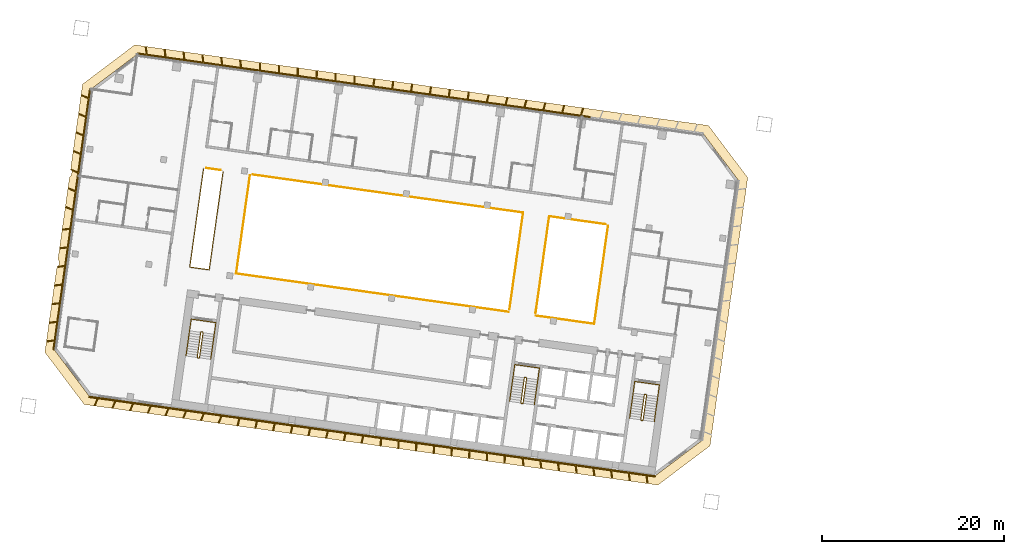
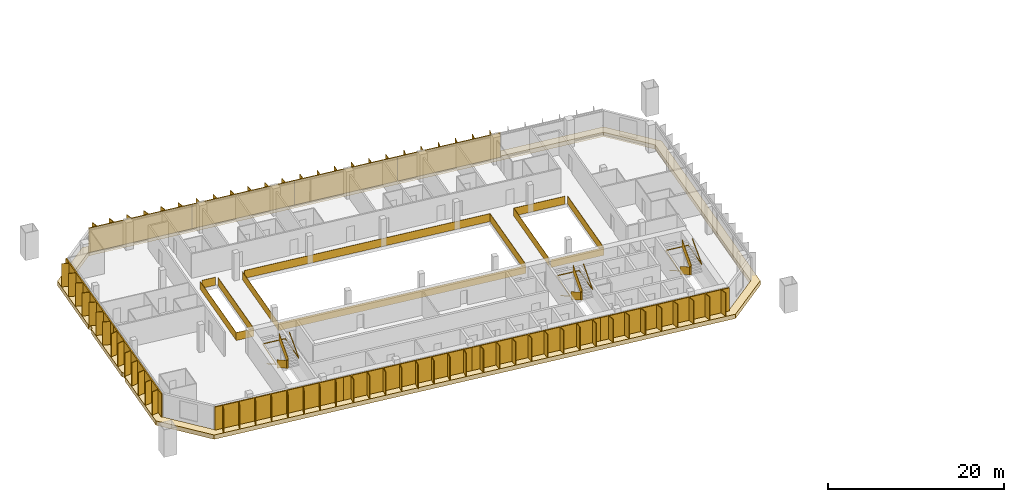
# One storey, part 23 of 25: 12 railings, 10 shading devices, 1 covering.
"""IFC4 building model written with IfcOpenShell, lengths in metres."""

from ifc_helpers import new_model, si_unit, direction, frame, origin, origin_2d, place, context, subcontext, project, spatial, polyline, rectangle, outline, extrude, material, layer, layer_set, type_object, element, save


model = new_model("IFC4")

# Units and contexts
model_context = context("Model", 3, precision=1e-05, world=origin(), true_north=direction((0.0, 1.0)))
body_context = subcontext(model_context, "Body", "Model", "MODEL_VIEW")
ifc_project = project(units=[si_unit("LENGTHUNIT", "METRE"), si_unit("AREAUNIT", "SQUARE_METRE"), si_unit("VOLUMEUNIT", "CUBIC_METRE"), si_unit("PLANEANGLEUNIT", "RADIAN"), si_unit("MASSUNIT", "GRAM", prefix="KILO")], contexts=[model_context])

# Site, building, storey
site_placement = place(None, origin())
site = spatial("IfcSite", under=ifc_project, at=site_placement, CompositionType="ELEMENT")
building_placement = place(site_placement, origin())
building = spatial("IfcBuilding", under=site, at=building_placement, Name="Mirante Cascada Hotel Towers", CompositionType="ELEMENT")
storey_placement = place(building_placement, frame((0.0, 0.0, 136.7)))
storey = spatial("IfcBuildingStorey", under=building, at=storey_placement, Name="L31", CompositionType="ELEMENT", Elevation=136.7)

# Railings
ifc_material_1 = material(Name="Toughened glass with stainless steel handrail", Category="steel")
railing_type_1 = type_object("IfcRailingType", Name="Atrium guard 1100 glass balustrade", PredefinedType="GUARDRAIL", material=ifc_material_1)
railing_1_placement = place(storey_placement, frame((-42.3202, 7.3388, 0.0)))
element("IfcRailing", 1, at=railing_1_placement, inside=storey, type_object=railing_type_1, Name="GUARD 1-L31-1", PredefinedType="GUARDRAIL", context=body_context, shape_type="SweptSolid", body=[
    extrude(rectangle(XDim=0.048, YDim=0.048, at=origin_2d()), frame((0.0, 0.0, 1.076), z_axis=(-0.1391712, -0.9902683, 0.0), x_axis=(0.9902683, -0.1391712, 0.0)), (0.0, 0.0, 1.0), 10.9333),
    extrude(rectangle(XDim=0.02, YDim=1.052, at=origin_2d()), frame((0.0, 0.0, 0.526), z_axis=(-0.1391712, -0.9902683, 0.0), x_axis=(0.9902683, -0.1391712, 0.0)), (0.0, 0.0, 1.0), 10.9333),
    extrude(rectangle(XDim=0.048, YDim=0.048, at=origin_2d()), frame((-1.5216, -10.8269, 1.076), z_axis=(-0.9902673, 0.1391788, 0.0), x_axis=(-0.1391788, -0.9902673, 0.0)), (0.0, 0.0, 1.0), 6.5125),
    extrude(rectangle(XDim=0.02, YDim=1.052, at=origin_2d()), frame((-1.5216, -10.8269, 0.526), z_axis=(-0.9902673, 0.1391788, 0.0), x_axis=(-0.1391788, -0.9902673, 0.0)), (0.0, 0.0, 1.0), 6.5125),
])
railing_2_placement = place(storey_placement, frame((-53.2617, -2.1642, 0.0)))
element("IfcRailing", 2, at=railing_2_placement, inside=storey, type_object=railing_type_1, Name="GUARD 1-L31-2", PredefinedType="GUARDRAIL", context=body_context, shape_type="SweptSolid", body=[
    extrude(rectangle(XDim=0.048, YDim=0.048, at=origin_2d()), frame((0.0, 0.0, 1.076), z_axis=(-0.9902682, 0.1391722, 0.0), x_axis=(-0.1391722, -0.9902682, 0.0)), (0.0, 0.0, 1.0), 30.325),
    extrude(rectangle(XDim=0.02, YDim=1.052, at=origin_2d()), frame((0.0, 0.0, 0.526), z_axis=(-0.9902682, 0.1391722, 0.0), x_axis=(-0.1391722, -0.9902682, 0.0)), (0.0, 0.0, 1.0), 30.325),
    extrude(rectangle(XDim=0.048, YDim=0.048, at=origin_2d()), frame((-30.0299, 4.2204, 1.076), z_axis=(0.1391712, 0.9902683, 0.0), x_axis=(-0.9902683, 0.1391712, 0.0)), (0.0, 0.0, 1.0), 10.9333),
    extrude(rectangle(XDim=0.02, YDim=1.052, at=origin_2d()), frame((-30.0299, 4.2204, 0.526), z_axis=(0.1391712, 0.9902683, 0.0), x_axis=(-0.9902683, 0.1391712, 0.0)), (0.0, 0.0, 1.0), 10.9333),
])
railing_3_placement = place(storey_placement, frame((-84.7408, 13.3007, 0.0)))
element("IfcRailing", 3, at=railing_3_placement, inside=storey, type_object=railing_type_1, Name="GUARD 1-L31-3", PredefinedType="GUARDRAIL", context=body_context, shape_type="SweptSolid", body=[
    extrude(rectangle(XDim=0.048, YDim=0.048, at=origin_2d()), frame((0.0, 0.0, 1.076), z_axis=(-0.1391712, -0.9902683, 0.0), x_axis=(0.9902683, -0.1391712, 0.0)), (0.0, 0.0, 1.0), 10.9333),
    extrude(rectangle(XDim=0.02, YDim=1.052, at=origin_2d()), frame((0.0, 0.0, 0.526), z_axis=(-0.1391712, -0.9902683, 0.0), x_axis=(0.9902683, -0.1391712, 0.0)), (0.0, 0.0, 1.0), 10.9333),
    extrude(rectangle(XDim=0.048, YDim=0.048, at=origin_2d()), frame((-1.5216, -10.8269, 1.076), z_axis=(-0.9902724, 0.1391422, 0.0), x_axis=(-0.1391422, -0.9902724, 0.0)), (0.0, 0.0, 1.0), 2.1625),
    extrude(rectangle(XDim=0.02, YDim=1.052, at=origin_2d()), frame((-1.5216, -10.8269, 0.526), z_axis=(-0.9902724, 0.1391422, 0.0), x_axis=(-0.1391422, -0.9902724, 0.0)), (0.0, 0.0, 1.0), 2.1625),
    extrude(rectangle(XDim=0.048, YDim=0.048, at=origin_2d()), frame((-3.6631, -10.526, 1.076), z_axis=(0.1391801, 0.9902671, 0.0), x_axis=(-0.9902671, 0.1391801, 0.0)), (0.0, 0.0, 1.0), 10.9333),
    extrude(rectangle(XDim=0.02, YDim=1.052, at=origin_2d()), frame((-3.6631, -10.526, 0.526), z_axis=(0.1391801, 0.9902671, 0.0), x_axis=(-0.9902671, 0.1391801, 0.0)), (0.0, 0.0, 1.0), 10.9333),
])
railing_4_placement = place(storey_placement, frame((-84.9982, 13.4546, 0.0)))
element("IfcRailing", 4, at=railing_4_placement, inside=storey, type_object=railing_type_1, Name="GUARD 1-L31-4", PredefinedType="GUARDRAIL", context=body_context, shape_type="SweptSolid", body=[
    extrude(rectangle(XDim=0.048, YDim=0.048, at=origin_2d()), frame((0.0, 0.0, 1.076), z_axis=(-0.9902552, 0.1392643, 0.0), x_axis=(-0.1392643, -0.9902552, 0.0)), (0.0, 0.0, 1.0), 1.6099),
    extrude(rectangle(XDim=0.02, YDim=1.052, at=origin_2d()), frame((0.0, 0.0, 0.526), z_axis=(-0.9902552, 0.1392643, 0.0), x_axis=(-0.1392643, -0.9902552, 0.0)), (0.0, 0.0, 1.0), 1.6099),
])
railing_5_placement = place(storey_placement, frame((-53.172, -1.8782, 0.0)))
element("IfcRailing", 5, at=railing_5_placement, inside=storey, type_object=railing_type_1, Name="GUARD 1-L31-5", PredefinedType="GUARDRAIL", context=body_context, shape_type="SweptSolid", body=[
    extrude(rectangle(XDim=0.048, YDim=0.048, at=origin_2d()), frame((0.0, 0.0, 1.076), z_axis=(0.1391715, 0.9902683, 0.0), x_axis=(-0.9902683, 0.1391715, 0.0)), (0.0, 0.0, 1.0), 10.7544),
    extrude(rectangle(XDim=0.02, YDim=1.052, at=origin_2d()), frame((0.0, 0.0, 0.526), z_axis=(0.1391715, 0.9902683, 0.0), x_axis=(-0.9902683, 0.1391715, 0.0)), (0.0, 0.0, 1.0), 10.7544),
    extrude(rectangle(XDim=0.048, YDim=0.048, at=origin_2d()), frame((1.4967, 10.6497, 1.076), z_axis=(-0.9902686, 0.1391697, 0.0), x_axis=(-0.1391697, -0.9902686, 0.0)), (0.0, 0.0, 1.0), 30.0978),
    extrude(rectangle(XDim=0.02, YDim=1.052, at=origin_2d()), frame((1.4967, 10.6497, 0.526), z_axis=(-0.9902686, 0.1391697, 0.0), x_axis=(-0.1391697, -0.9902686, 0.0)), (0.0, 0.0, 1.0), 30.0978),
])
railing_6_placement = place(storey_placement, frame((-42.5775, 7.4929, 0.0)))
element("IfcRailing", 6, at=railing_6_placement, inside=storey, type_object=railing_type_1, Name="GUARD 1-L31-6", PredefinedType="GUARDRAIL", context=body_context, shape_type="SweptSolid", body=[
    extrude(rectangle(XDim=0.048, YDim=0.048, at=origin_2d()), frame((0.0, 0.0, 1.076), z_axis=(-0.990269, 0.1391668, 0.0), x_axis=(-0.1391668, -0.990269, 0.0)), (0.0, 0.0, 1.0), 6.2853),
    extrude(rectangle(XDim=0.02, YDim=1.052, at=origin_2d()), frame((0.0, 0.0, 0.526), z_axis=(-0.990269, 0.1391668, 0.0), x_axis=(-0.1391668, -0.990269, 0.0)), (0.0, 0.0, 1.0), 6.2853),
    extrude(rectangle(XDim=0.048, YDim=0.048, at=origin_2d()), frame((-6.2241, 0.8747, 1.076), z_axis=(-0.1391702, -0.9902685, 0.0), x_axis=(0.9902685, -0.1391702, 0.0)), (0.0, 0.0, 1.0), 10.7545),
    extrude(rectangle(XDim=0.02, YDim=1.052, at=origin_2d()), frame((-6.2241, 0.8747, 0.526), z_axis=(-0.1391702, -0.9902685, 0.0), x_axis=(0.9902685, -0.1391702, 0.0)), (0.0, 0.0, 1.0), 10.7545),
])

# Covering
ifc_material_2 = material(Name="Precast concrete C40/50 white", Category="concrete")
ifc_layer = layer(ifc_material_2, 0.6)
ifc_layer_set = layer_set([ifc_layer], Name="Precast concrete SUNSHADE band 1000x600")
covering_type = type_object("IfcCoveringType", Name="Precast concrete SUNSHADE band 1000x600", PredefinedType="CLADDING", material=ifc_layer_set)
covering_placement = place(storey_placement, frame((0.0, 0.0, -0.45)))
element("IfcCovering", 7, at=covering_placement, inside=storey, type_object=covering_type, Name="Precast concrete SUNSHADE band T1 L31", PredefinedType="CLADDING", context=body_context, shape_type="SweptSolid", body=[
    extrude(outline(polyline([(-104.3652, -6.6094), (-103.065, 2.6422), (-103.0464, 2.6537), (-103.0089, 2.6822), (-102.9744, 2.7142), (-102.9431, 2.7495), (-102.9155, 2.7876), (-102.8918, 2.8283), (-102.8721, 2.8711), (-102.8568, 2.9156), (-102.8458, 2.9615), (-102.8022, 3.1949), (-102.7958, 3.2416), (-102.794, 3.2887), (-102.7969, 3.3357), (-102.8043, 3.3822), (-102.8163, 3.4278), (-102.8327, 3.4719), (-102.8533, 3.5143), (-102.878, 3.5544), (-102.9065, 3.5919), (-102.9282, 3.6153), (-101.6509, 12.7039), (-101.6236, 12.7205), (-101.5858, 12.7487), (-101.5511, 12.7804), (-101.5196, 12.8154), (-101.4916, 12.8534), (-101.4676, 12.8939), (-101.4476, 12.9365), (-101.4319, 12.9809), (-101.4206, 13.0267), (-101.4139, 13.0733), (-101.3915, 13.3098), (-101.3894, 13.3568), (-101.3918, 13.4039), (-101.3989, 13.4504), (-101.4105, 13.4961), (-101.4266, 13.5404), (-101.4469, 13.5829), (-101.4712, 13.6232), (-101.4995, 13.6609), (-101.5142, 13.677), (-100.2139, 22.9287), (-94.4698, 27.2572), (-31.2626, 18.374), (-26.9341, 12.6299), (-31.0854, -16.9082), (-36.8295, -21.2367), (-100.0367, -12.3535), (-104.3652, -6.6094)]), holes=[polyline([(-27.982, 12.3589), (-31.8119, 17.4414), (-94.1988, 26.2093), (-99.2813, 22.3794), (-103.3173, -6.3384), (-99.4874, -11.4209), (-37.1005, -20.1888), (-32.018, -16.3589), (-27.982, 12.3589)])]), origin(), (0.0, 0.0, 1.0), 0.6),
])

# Railings
ifc_material_3 = material(Name="Painted steel", Category="steel")
railing_type_2 = type_object("IfcRailingType", Name="Stair guard 1100 steel balustrade", PredefinedType="GUARDRAIL", material=ifc_material_3)
railing_7_placement = place(storey_placement, frame((-38.1178, -11.2603, 0.0)))
element("IfcRailing", 8, at=railing_7_placement, inside=storey, type_object=railing_type_2, Name="L31 ST1-A stair guard 1", PredefinedType="GUARDRAIL", context=body_context, shape_type="SweptSolid", body=[
    extrude(rectangle(XDim=0.048, YDim=0.048, at=origin_2d()), frame((0.0, 0.0, 1.076), z_axis=(-0.9903326, 0.1387133, 0.0), x_axis=(-0.1387133, -0.9903326, 0.0)), (0.0, 0.0, 1.0), 0.1499),
    extrude(rectangle(XDim=0.02, YDim=1.052, at=origin_2d()), frame((0.0, 0.0, 0.526), z_axis=(-0.9903326, 0.1387133, 0.0), x_axis=(-0.1387133, -0.9903326, 0.0)), (0.0, 0.0, 1.0), 0.1499),
    extrude(rectangle(XDim=0.048, YDim=0.048, at=origin_2d()), frame((-0.1485, 0.0208, 1.076), z_axis=(-0.7991505, -0.6011309, 0.0), x_axis=(0.6011309, -0.7991505, 0.0)), (0.0, 0.9254529, 0.3788627), 0.1866),
    extrude(rectangle(XDim=0.02, YDim=1.052, at=origin_2d()), frame((-0.1485, 0.0208, 0.526), z_axis=(-0.7991505, -0.6011309, 0.0), x_axis=(0.6011309, -0.7991505, 0.0)), (0.0, 0.9254529, 0.3788627), 0.1866),
    extrude(rectangle(XDim=0.048, YDim=0.048, at=origin_2d()), frame((-0.205, -0.0217, 1.2487), z_axis=(-0.139176, -0.9902677, 0.0), x_axis=(0.9902677, -0.139176, 0.0)), (0.0, 0.5250212, 0.8510891), 3.29),
    extrude(rectangle(XDim=0.02, YDim=1.052, at=origin_2d()), frame((-0.205, -0.0217, 0.6987), z_axis=(-0.139176, -0.9902677, 0.0), x_axis=(0.9902677, -0.139176, 0.0)), (0.0, 0.5250212, 0.8510891), 3.29),
    extrude(rectangle(XDim=0.048, YDim=0.048, at=origin_2d()), frame((-0.5947, -2.7945, 2.976), z_axis=(0.9270311, -0.3749843, 0.0), x_axis=(0.3749843, 0.9270311, 0.0)), (0.0, 0.0, 1.0), 0.2061),
    extrude(rectangle(XDim=0.02, YDim=1.052, at=origin_2d()), frame((-0.5947, -2.7945, 2.426), z_axis=(0.9270311, -0.3749843, 0.0), x_axis=(0.3749843, 0.9270311, 0.0)), (0.0, 0.0, 1.0), 0.2061),
    extrude(rectangle(XDim=0.048, YDim=0.048, at=origin_2d()), frame((-0.4036, -2.8718, 2.976), z_axis=(-0.9902408, 0.1393672, 0.0), x_axis=(-0.1393672, -0.9902408, 0.0)), (0.0, 0.0, 1.0), 0.15),
    extrude(rectangle(XDim=0.02, YDim=1.052, at=origin_2d()), frame((-0.4036, -2.8718, 2.426), z_axis=(-0.9902408, 0.1393672, 0.0), x_axis=(-0.1393672, -0.9902408, 0.0)), (0.0, 0.0, 1.0), 0.15),
    extrude(rectangle(XDim=0.048, YDim=0.048, at=origin_2d()), frame((-0.5521, -2.8509, 2.976), z_axis=(0.9944948, 0.1047858, 0.0), x_axis=(-0.1047858, 0.9944948, 0.0)), (0.0, 0.6422034, 0.7665343), 0.2689),
    extrude(rectangle(XDim=0.02, YDim=1.052, at=origin_2d()), frame((-0.5521, -2.8509, 2.426), z_axis=(0.9944948, 0.1047858, 0.0), x_axis=(-0.1047858, 0.9944948, 0.0)), (0.0, 0.6422034, 0.7665343), 0.2689),
    extrude(rectangle(XDim=0.048, YDim=0.048, at=origin_2d()), frame((-0.3471, -2.8293, 3.1487), z_axis=(0.139176, 0.9902677, 0.0), x_axis=(-0.9902677, 0.139176, 0.0)), (0.0, 0.5250212, 0.8510891), 3.29),
    extrude(rectangle(XDim=0.02, YDim=1.052, at=origin_2d()), frame((-0.3471, -2.8293, 2.5987), z_axis=(0.139176, 0.9902677, 0.0), x_axis=(-0.9902677, 0.139176, 0.0)), (0.0, 0.5250212, 0.8510891), 3.29),
])
railing_8_placement = place(storey_placement, frame((-51.3379, -9.4024, 0.0)))
element("IfcRailing", 9, at=railing_8_placement, inside=storey, type_object=railing_type_2, Name="L31 ST1-B stair guard 1", PredefinedType="GUARDRAIL", context=body_context, shape_type="SweptSolid", body=[
    extrude(rectangle(XDim=0.048, YDim=0.048, at=origin_2d()), frame((0.0, 0.0, 1.076), z_axis=(-0.9902408, 0.1393672, 0.0), x_axis=(-0.1393672, -0.9902408, 0.0)), (0.0, 0.0, 1.0), 0.15),
    extrude(rectangle(XDim=0.02, YDim=1.052, at=origin_2d()), frame((0.0, 0.0, 0.526), z_axis=(-0.9902408, 0.1393672, 0.0), x_axis=(-0.1393672, -0.9902408, 0.0)), (0.0, 0.0, 1.0), 0.15),
    extrude(rectangle(XDim=0.048, YDim=0.048, at=origin_2d()), frame((-0.1485, 0.0209, 1.076), z_axis=(-0.7984711, -0.6020331, 0.0), x_axis=(0.6020331, -0.7984711, 0.0)), (0.0, 0.9253398, 0.3791387), 0.1866),
    extrude(rectangle(XDim=0.02, YDim=1.052, at=origin_2d()), frame((-0.1485, 0.0209, 0.526), z_axis=(-0.7984711, -0.6020331, 0.0), x_axis=(0.6020331, -0.7984711, 0.0)), (0.0, 0.9253398, 0.3791387), 0.1866),
    extrude(rectangle(XDim=0.048, YDim=0.048, at=origin_2d()), frame((-0.205, -0.0217, 1.2487), z_axis=(-0.139181, -0.990267, 0.0), x_axis=(0.990267, -0.139181, 0.0)), (0.0, 0.5250347, 0.8510808), 3.2899),
    extrude(rectangle(XDim=0.02, YDim=1.052, at=origin_2d()), frame((-0.205, -0.0217, 0.6987), z_axis=(-0.139181, -0.990267, 0.0), x_axis=(0.990267, -0.139181, 0.0)), (0.0, 0.5250347, 0.8510808), 3.2899),
    extrude(rectangle(XDim=0.048, YDim=0.048, at=origin_2d()), frame((-0.5947, -2.7944, 2.976), z_axis=(0.9268624, -0.3754011, 0.0), x_axis=(0.3754011, 0.9268624, 0.0)), (0.0, 0.0, 1.0), 0.2062),
    extrude(rectangle(XDim=0.02, YDim=1.052, at=origin_2d()), frame((-0.5947, -2.7944, 2.426), z_axis=(0.9268624, -0.3754011, 0.0), x_axis=(0.3754011, 0.9268624, 0.0)), (0.0, 0.0, 1.0), 0.2062),
    extrude(rectangle(XDim=0.048, YDim=0.048, at=origin_2d()), frame((-0.4036, -2.8718, 2.976), z_axis=(-0.9902408, 0.1393672, 0.0), x_axis=(-0.1393672, -0.9902408, 0.0)), (0.0, 0.0, 1.0), 0.15),
    extrude(rectangle(XDim=0.02, YDim=1.052, at=origin_2d()), frame((-0.4036, -2.8718, 2.426), z_axis=(-0.9902408, 0.1393672, 0.0), x_axis=(-0.1393672, -0.9902408, 0.0)), (0.0, 0.0, 1.0), 0.15),
    extrude(rectangle(XDim=0.048, YDim=0.048, at=origin_2d()), frame((-0.5521, -2.8509, 2.976), z_axis=(0.9944441, 0.1052656, 0.0), x_axis=(-0.1052656, 0.9944441, 0.0)), (0.0, 0.6421842, 0.7665504), 0.2689),
    extrude(rectangle(XDim=0.02, YDim=1.052, at=origin_2d()), frame((-0.5521, -2.8509, 2.426), z_axis=(0.9944441, 0.1052656, 0.0), x_axis=(-0.1052656, 0.9944441, 0.0)), (0.0, 0.6421842, 0.7665504), 0.2689),
    extrude(rectangle(XDim=0.048, YDim=0.048, at=origin_2d()), frame((-0.3471, -2.8292, 3.1487), z_axis=(0.139181, 0.990267, 0.0), x_axis=(-0.990267, 0.139181, 0.0)), (0.0, 0.5250347, 0.8510808), 3.2899),
    extrude(rectangle(XDim=0.02, YDim=1.052, at=origin_2d()), frame((-0.3471, -2.8292, 2.5987), z_axis=(0.139181, 0.990267, 0.0), x_axis=(-0.990267, 0.139181, 0.0)), (0.0, 0.5250347, 0.8510808), 3.2899),
])
railing_9_placement = place(storey_placement, frame((-86.9875, -4.3922, 0.0)))
element("IfcRailing", 10, at=railing_9_placement, inside=storey, type_object=railing_type_2, Name="L31 ST1-C stair guard 1", PredefinedType="GUARDRAIL", context=body_context, shape_type="SweptSolid", body=[
    extrude(rectangle(XDim=0.048, YDim=0.048, at=origin_2d()), frame((0.0, 0.0, 1.076), z_axis=(-0.9902537, 0.1392753, 0.0), x_axis=(-0.1392753, -0.9902537, 0.0)), (0.0, 0.0, 1.0), 0.1501),
    extrude(rectangle(XDim=0.02, YDim=1.052, at=origin_2d()), frame((0.0, 0.0, 0.526), z_axis=(-0.9902537, 0.1392753, 0.0), x_axis=(-0.1392753, -0.9902537, 0.0)), (0.0, 0.0, 1.0), 0.1501),
    extrude(rectangle(XDim=0.048, YDim=0.048, at=origin_2d()), frame((-0.1486, 0.0209, 1.076), z_axis=(-0.7986386, -0.601811, 0.0), x_axis=(0.601811, -0.7986386, 0.0)), (0.0, 0.925603, 0.3784959), 0.1866),
    extrude(rectangle(XDim=0.02, YDim=1.052, at=origin_2d()), frame((-0.1486, 0.0209, 0.526), z_axis=(-0.7986386, -0.601811, 0.0), x_axis=(0.601811, -0.7986386, 0.0)), (0.0, 0.925603, 0.3784959), 0.1866),
    extrude(rectangle(XDim=0.048, YDim=0.048, at=origin_2d()), frame((-0.205, -0.0216, 1.2487), z_axis=(-0.139176, -0.9902677, 0.0), x_axis=(0.9902677, -0.139176, 0.0)), (0.0, 0.5250212, 0.8510891), 3.29),
    extrude(rectangle(XDim=0.02, YDim=1.052, at=origin_2d()), frame((-0.205, -0.0216, 0.6987), z_axis=(-0.139176, -0.9902677, 0.0), x_axis=(0.9902677, -0.139176, 0.0)), (0.0, 0.5250212, 0.8510891), 3.29),
    extrude(rectangle(XDim=0.048, YDim=0.048, at=origin_2d()), frame((-0.5947, -2.7944, 2.976), z_axis=(0.9270311, -0.3749843, 0.0), x_axis=(0.3749843, 0.9270311, 0.0)), (0.0, 0.0, 1.0), 0.2061),
    extrude(rectangle(XDim=0.02, YDim=1.052, at=origin_2d()), frame((-0.5947, -2.7944, 2.426), z_axis=(0.9270311, -0.3749843, 0.0), x_axis=(0.3749843, 0.9270311, 0.0)), (0.0, 0.0, 1.0), 0.2061),
    extrude(rectangle(XDim=0.048, YDim=0.048, at=origin_2d()), frame((-0.4036, -2.8717, 2.976), z_axis=(-0.9903454, 0.1386217, 0.0), x_axis=(-0.1386217, -0.9903454, 0.0)), (0.0, 0.0, 1.0), 0.15),
    extrude(rectangle(XDim=0.02, YDim=1.052, at=origin_2d()), frame((-0.4036, -2.8717, 2.426), z_axis=(-0.9903454, 0.1386217, 0.0), x_axis=(-0.1386217, -0.9903454, 0.0)), (0.0, 0.0, 1.0), 0.15),
    extrude(rectangle(XDim=0.048, YDim=0.048, at=origin_2d()), frame((-0.5522, -2.8509, 2.976), z_axis=(0.9944441, 0.1052656, 0.0), x_axis=(-0.1052656, 0.9944441, 0.0)), (0.0, 0.6421842, 0.7665504), 0.2689),
    extrude(rectangle(XDim=0.02, YDim=1.052, at=origin_2d()), frame((-0.5522, -2.8509, 2.426), z_axis=(0.9944441, 0.1052656, 0.0), x_axis=(-0.1052656, 0.9944441, 0.0)), (0.0, 0.6421842, 0.7665504), 0.2689),
    extrude(rectangle(XDim=0.048, YDim=0.048, at=origin_2d()), frame((-0.3472, -2.8292, 3.1487), z_axis=(0.139176, 0.9902677, 0.0), x_axis=(-0.9902677, 0.139176, 0.0)), (0.0, 0.5250212, 0.8510891), 3.29),
    extrude(rectangle(XDim=0.02, YDim=1.052, at=origin_2d()), frame((-0.3472, -2.8292, 2.5987), z_axis=(0.139176, 0.9902677, 0.0), x_axis=(-0.9902677, 0.139176, 0.0)), (0.0, 0.5250212, 0.8510891), 3.29),
])
ifc_material_4 = material(Name="Painted steel", Category="steel")
railing_type_3 = type_object("IfcRailingType", Name="Stair handrail 900 steel tube", PredefinedType="HANDRAIL", material=ifc_material_4)
railing_10_placement = place(storey_placement, frame((-39.5606, -11.1081, 0.1727)))
element("IfcRailing", 11, at=railing_10_placement, inside=storey, type_object=railing_type_3, Name="L31 ST1-A stair handrail 1", PredefinedType="HANDRAIL", context=body_context, shape_type="SweptSolid", body=[
    extrude(rectangle(XDim=0.048, YDim=0.048, at=origin_2d()), frame((0.0, 0.0, 0.876), z_axis=(-0.139181, -0.990267, 0.0), x_axis=(0.990267, -0.139181, 0.0)), (0.0, 0.5250347, 0.8510808), 3.2899),
    extrude(rectangle(XDim=0.048, YDim=0.048, at=origin_2d()), frame((-0.3897, -2.7727, 2.6033), z_axis=(0.1391707, 0.9902684, 0.0), x_axis=(-0.9902684, 0.1391707, 0.0)), (0.0, 0.0420846, 0.999114), 4.1036),
    extrude(rectangle(XDim=0.048, YDim=0.048, at=origin_2d()), frame((0.1809, 1.2874, 2.776), z_axis=(0.9902691, -0.1391657, 0.0), x_axis=(0.1391657, 0.9902691, 0.0)), (0.0, 0.0, 1.0), 2.75),
    extrude(rectangle(XDim=0.048, YDim=0.048, at=origin_2d()), frame((2.9041, 0.9047, 2.776), z_axis=(-0.1391707, -0.9902684, 0.0), x_axis=(0.9902684, -0.1391707, 0.0)), (0.0, 0.0, 1.0), 4.1),
    extrude(rectangle(XDim=0.048, YDim=0.048, at=origin_2d()), frame((2.3335, -3.1554, 2.776), z_axis=(0.139181, 0.990267, 0.0), x_axis=(-0.990267, 0.139181, 0.0)), (0.0, 0.5250347, 0.8510808), 3.2899),
])
railing_11_placement = place(storey_placement, frame((-52.7807, -9.2501, 0.1727)))
element("IfcRailing", 12, at=railing_11_placement, inside=storey, type_object=railing_type_3, Name="L31 ST1-B stair handrail 1", PredefinedType="HANDRAIL", context=body_context, shape_type="SweptSolid", body=[
    extrude(rectangle(XDim=0.048, YDim=0.048, at=origin_2d()), frame((0.0, 0.0, 0.876), z_axis=(-0.139181, -0.990267, 0.0), x_axis=(0.990267, -0.139181, 0.0)), (0.0, 0.5250347, 0.8510808), 3.2899),
    extrude(rectangle(XDim=0.048, YDim=0.048, at=origin_2d()), frame((-0.3897, -2.7727, 2.6033), z_axis=(0.1391707, 0.9902684, 0.0), x_axis=(-0.9902684, 0.1391707, 0.0)), (0.0, 0.0420846, 0.999114), 4.1036),
    extrude(rectangle(XDim=0.048, YDim=0.048, at=origin_2d()), frame((0.1809, 1.2874, 2.776), z_axis=(0.9902641, -0.1392013, 0.0), x_axis=(0.1392013, 0.9902641, 0.0)), (0.0, 0.0, 1.0), 2.75),
    extrude(rectangle(XDim=0.048, YDim=0.048, at=origin_2d()), frame((2.9041, 0.9046, 2.776), z_axis=(-0.1391707, -0.9902684, 0.0), x_axis=(0.9902684, -0.1391707, 0.0)), (0.0, 0.0, 1.0), 4.1),
    extrude(rectangle(XDim=0.048, YDim=0.048, at=origin_2d()), frame((2.3335, -3.1555, 2.776), z_axis=(0.139176, 0.9902677, 0.0), x_axis=(-0.9902677, 0.139176, 0.0)), (0.0, 0.5250212, 0.8510891), 3.29),
])
railing_12_placement = place(storey_placement, frame((-88.4304, -4.2399, 0.1727)))
element("IfcRailing", 13, at=railing_12_placement, inside=storey, type_object=railing_type_3, Name="L31 ST1-C stair handrail 1", PredefinedType="HANDRAIL", context=body_context, shape_type="SweptSolid", body=[
    extrude(rectangle(XDim=0.048, YDim=0.048, at=origin_2d()), frame((0.0, 0.0, 0.876), z_axis=(-0.139181, -0.990267, 0.0), x_axis=(0.990267, -0.139181, 0.0)), (0.0, 0.5250347, 0.8510808), 3.2899),
    extrude(rectangle(XDim=0.048, YDim=0.048, at=origin_2d()), frame((-0.3897, -2.7727, 2.6033), z_axis=(0.1391947, 0.990265, 0.0), x_axis=(-0.990265, 0.1391947, 0.0)), (0.0, 0.0420845, 0.9991141), 4.1036),
    extrude(rectangle(XDim=0.048, YDim=0.048, at=origin_2d()), frame((0.181, 1.2874, 2.776), z_axis=(0.9902691, -0.1391657, 0.0), x_axis=(0.1391657, 0.9902691, 0.0)), (0.0, 0.0, 1.0), 2.75),
    extrude(rectangle(XDim=0.048, YDim=0.048, at=origin_2d()), frame((2.9042, 0.9047, 2.776), z_axis=(-0.1391707, -0.9902684, 0.0), x_axis=(0.9902684, -0.1391707, 0.0)), (0.0, 0.0, 1.0), 4.1),
    extrude(rectangle(XDim=0.048, YDim=0.048, at=origin_2d()), frame((2.3336, -3.1554, 2.776), z_axis=(0.139181, 0.990267, 0.0), x_axis=(-0.990267, 0.139181, 0.0)), (0.0, 0.5250347, 0.8510808), 3.2899),
])

# Shading devices
ifc_material_5 = material(Name="White precast concrete C50/60 fin", Category="concrete")
shading_device_type = type_object("IfcShadingDeviceType", Name="Vertical fin set 4500x900", PredefinedType="USERDEFINED", material=ifc_material_5)
shading_device_1_placement = place(storey_placement, origin())
element("IfcShadingDevice", 14, at=shading_device_1_placement, inside=storey, type_object=shading_device_type, Name="FIN T1 L31 front 1", ObjectType="FIN", PredefinedType="USERDEFINED", context=body_context, shape_type="SweptSolid", body=[
    extrude(outline(polyline([(-82.8173, 25.599), (-82.7126, 24.7465), (-81.7006, 24.6042), (-81.7214, 24.4557), (-94.1988, 26.2093), (-94.1779, 26.3578), (-93.1924, 26.2193), (-93.2945, 27.0506), (-93.2151, 27.0603), (-93.1104, 26.2078), (-91.1129, 25.9271), (-91.2149, 26.7583), (-91.1355, 26.7681), (-91.0308, 25.9155), (-89.0333, 25.6348), (-89.1354, 26.4661), (-89.056, 26.4758), (-88.9513, 25.6233), (-86.9537, 25.3425), (-87.0558, 26.1738), (-86.9764, 26.1835), (-86.8717, 25.331), (-84.8742, 25.0503), (-84.9762, 25.8815), (-84.8968, 25.8913), (-84.7922, 25.0387), (-82.7946, 24.758), (-82.8967, 25.5893), (-82.8173, 25.599)])), origin(), (0.0, 0.0, 1.0), 3.35),
])
shading_device_2_placement = place(storey_placement, origin())
element("IfcShadingDevice", 15, at=shading_device_2_placement, inside=storey, type_object=shading_device_type, Name="FIN T1 L31 front 2", ObjectType="FIN", PredefinedType="USERDEFINED", context=body_context, shape_type="SweptSolid", body=[
    extrude(outline(polyline([(-70.2221, 23.8469), (-70.2295, 22.9921), (-69.2232, 22.8507), (-69.2441, 22.7021), (-81.7214, 24.4557), (-81.7006, 24.6042), (-80.7072, 24.4646), (-80.6999, 25.3089), (-80.6199, 25.3082), (-80.6273, 24.4534), (-78.6277, 24.1724), (-78.6203, 25.0166), (-78.5403, 25.0159), (-78.5478, 24.1611), (-76.5481, 23.8801), (-76.5407, 24.7244), (-76.4608, 24.7237), (-76.4682, 23.8689), (-74.4686, 23.5878), (-74.4612, 24.4321), (-74.3812, 24.4314), (-74.3886, 23.5766), (-72.389, 23.2956), (-72.3816, 24.1399), (-72.3016, 24.1392), (-72.3091, 23.2844), (-70.3094, 23.0033), (-70.3021, 23.8476), (-70.2221, 23.8469)])), origin(), (0.0, 0.0, 1.0), 3.35),
])
shading_device_3_placement = place(storey_placement, origin())
element("IfcShadingDevice", 16, at=shading_device_3_placement, inside=storey, type_object=shading_device_type, Name="FIN T1 L31 front 3", ObjectType="FIN", PredefinedType="USERDEFINED", context=body_context, shape_type="SweptSolid", body=[
    extrude(outline(polyline([(-57.6277, 22.0794), (-57.746, 21.2376), (-56.7458, 21.0971), (-56.7667, 20.9485), (-69.2441, 22.7021), (-69.2232, 22.8507), (-68.223, 22.7101), (-68.1047, 23.5518), (-68.0255, 23.5407), (-68.1438, 22.699), (-66.1434, 22.4178), (-66.0251, 23.2596), (-65.9459, 23.2484), (-66.0642, 22.4067), (-64.0639, 22.1256), (-63.9456, 22.9673), (-63.8664, 22.9562), (-63.9847, 22.1144), (-61.9843, 21.8333), (-61.866, 22.675), (-61.7868, 22.6639), (-61.9051, 21.8222), (-59.9048, 21.541), (-59.7865, 22.3828), (-59.7072, 22.3716), (-59.8255, 21.5299), (-57.8252, 21.2488), (-57.7069, 22.0905), (-57.6277, 22.0794)])), origin(), (0.0, 0.0, 1.0), 3.35),
])
shading_device_4_placement = place(storey_placement, origin())
element("IfcShadingDevice", 17, at=shading_device_4_placement, inside=storey, type_object=shading_device_type, Name="FIN T1 L31 front 4", ObjectType="FIN", PredefinedType="USERDEFINED", context=body_context, shape_type="SweptSolid", body=[
    extrude(outline(polyline([(-45.0361, 20.2967), (-45.2617, 19.4831), (-44.2684, 19.3435), (-44.2893, 19.195), (-56.7667, 20.9485), (-56.7458, 21.0971), (-55.7394, 20.9556), (-55.511, 21.7794), (-55.4339, 21.758), (-55.6595, 20.9444), (-53.6599, 20.6634), (-53.4314, 21.4871), (-53.3544, 21.4657), (-53.58, 20.6521), (-51.5803, 20.3711), (-51.3519, 21.1949), (-51.2748, 21.1735), (-51.5004, 20.3599), (-49.5008, 20.0789), (-49.2723, 20.9026), (-49.1952, 20.8812), (-49.4209, 20.0676), (-47.4212, 19.7866), (-47.1928, 20.6103), (-47.1157, 20.589), (-47.3413, 19.7754), (-45.3416, 19.4943), (-45.1132, 20.3181), (-45.0361, 20.2967)])), origin(), (0.0, 0.0, 1.0), 3.35),
])
shading_device_5_placement = place(storey_placement, origin())
element("IfcShadingDevice", 18, at=shading_device_5_placement, inside=storey, type_object=shading_device_type, Name="FIN T1 L31 outer 1", ObjectType="FIN", PredefinedType="USERDEFINED", context=body_context, shape_type="SweptSolid", body=[
    extrude(outline(polyline([(-103.3178, -5.2642), (-103.041, -3.2949), (-103.8723, -3.397), (-103.8821, -3.3176), (-103.0295, -3.2129), (-102.7528, -1.2436), (-103.584, -1.3457), (-103.5938, -1.2663), (-102.7412, -1.1616), (-102.4645, 0.8076), (-103.2957, 0.7056), (-103.3055, 0.785), (-102.4529, 0.8896), (-102.1762, 2.8589), (-103.0075, 2.7568), (-103.0172, 2.8362), (-102.1647, 2.9409), (-101.8879, 4.9102), (-102.7192, 4.8081), (-102.7289, 4.8875), (-101.8764, 4.9922), (-101.5996, 6.9614), (-102.4309, 6.8594), (-102.4406, 6.9388), (-101.5881, 7.0434), (-101.4478, 8.0413), (-101.2993, 8.0205), (-103.3173, -6.3384), (-103.4659, -6.3175), (-103.3293, -5.3462), (-104.1606, -5.4483), (-104.1704, -5.3689), (-103.3178, -5.2642)])), origin(), (0.0, 0.0, 1.0), 3.35),
])
shading_device_6_placement = place(storey_placement, origin())
element("IfcShadingDevice", 19, at=shading_device_6_placement, inside=storey, type_object=shading_device_type, Name="FIN T1 L31 outer 2", ObjectType="FIN", PredefinedType="USERDEFINED", context=body_context, shape_type="SweptSolid", body=[
    extrude(outline(polyline([(-101.2961, 9.1212), (-101.0193, 11.0905), (-101.81, 11.4261), (-101.7787, 11.4998), (-101.0078, 11.1725), (-100.731, 13.1418), (-101.5217, 13.4774), (-101.4904, 13.551), (-100.7195, 13.2238), (-100.4427, 15.193), (-101.2334, 15.5287), (-101.2021, 15.6023), (-100.4312, 15.2751), (-100.1544, 17.2443), (-100.9451, 17.5799), (-100.9139, 17.6536), (-100.1429, 17.3263), (-99.8662, 19.2956), (-100.6568, 19.6312), (-100.6256, 19.7048), (-99.8546, 19.3776), (-99.5779, 21.3469), (-100.3685, 21.6825), (-100.3373, 21.7561), (-99.5663, 21.4289), (-99.4298, 22.4002), (-99.2813, 22.3794), (-101.2993, 8.0205), (-101.4478, 8.0413), (-101.3076, 9.0392), (-102.0983, 9.3749), (-102.067, 9.4485), (-101.2961, 9.1212)])), origin(), (0.0, 0.0, 1.0), 3.35),
])
shading_device_7_placement = place(storey_placement, origin())
element("IfcShadingDevice", 20, at=shading_device_7_placement, inside=storey, type_object=shading_device_type, Name="FIN T1 L31 rear 1", ObjectType="FIN", PredefinedType="USERDEFINED", context=body_context, shape_type="SweptSolid", body=[
    extrude(outline(polyline([(-38.1239, -20.1965), (-39.9915, -19.934), (-39.8894, -20.7653), (-39.9688, -20.775), (-40.0735, -19.9225), (-41.9411, -19.66), (-41.839, -20.4913), (-41.9184, -20.501), (-42.0231, -19.6485), (-43.8907, -19.386), (-43.7886, -20.2173), (-43.868, -20.227), (-43.9727, -19.3745), (-45.8403, -19.112), (-45.7382, -19.9433), (-45.8176, -19.953), (-45.9223, -19.1005), (-47.7898, -18.838), (-47.6878, -19.6693), (-47.7672, -19.679), (-47.8719, -18.8265), (-49.7394, -18.564), (-49.6374, -19.3953), (-49.7168, -19.405), (-49.8214, -18.5525), (-51.689, -18.29), (-51.587, -19.1213), (-51.6664, -19.131), (-51.771, -18.2785), (-52.7181, -18.1454), (-52.6972, -17.9968), (-37.1005, -20.1888), (-37.1214, -20.3374), (-38.0419, -20.208), (-37.9398, -21.0393), (-38.0192, -21.049), (-38.1239, -20.1965)])), origin(), (0.0, 0.0, 1.0), 3.35),
])
shading_device_8_placement = place(storey_placement, origin())
element("IfcShadingDevice", 21, at=shading_device_8_placement, inside=storey, type_object=shading_device_type, Name="FIN T1 L31 rear 2", ObjectType="FIN", PredefinedType="USERDEFINED", context=body_context, shape_type="SweptSolid", body=[
    extrude(outline(polyline([(-53.7283, -18.0034), (-55.5984, -17.7406), (-55.6427, -18.5857), (-55.7226, -18.5815), (-55.6779, -17.7294), (-57.548, -17.4666), (-57.5923, -18.3117), (-57.6722, -18.3075), (-57.6275, -17.4554), (-59.4976, -17.1926), (-59.5419, -18.0377), (-59.6217, -18.0335), (-59.5771, -17.1814), (-61.4472, -16.9186), (-61.4914, -17.7637), (-61.5713, -17.7596), (-61.5267, -16.9074), (-63.3967, -16.6446), (-63.441, -17.4897), (-63.5209, -17.4856), (-63.4763, -16.6334), (-65.3463, -16.3706), (-65.3906, -17.2157), (-65.4705, -17.2116), (-65.4259, -16.3594), (-67.2959, -16.0966), (-67.3402, -16.9417), (-67.4201, -16.9376), (-67.3755, -16.0854), (-68.3148, -15.9534), (-68.2939, -15.8049), (-52.6972, -17.9968), (-52.7181, -18.1454), (-53.6488, -18.0146), (-53.6931, -18.8597), (-53.773, -18.8555), (-53.7283, -18.0034)])), origin(), (0.0, 0.0, 1.0), 3.35),
])
shading_device_9_placement = place(storey_placement, origin())
element("IfcShadingDevice", 22, at=shading_device_9_placement, inside=storey, type_object=shading_device_type, Name="FIN T1 L31 rear 3", ObjectType="FIN", PredefinedType="USERDEFINED", context=body_context, shape_type="SweptSolid", body=[
    extrude(outline(polyline([(-69.3337, -15.8102), (-71.2038, -15.5474), (-71.3957, -16.3788), (-71.4737, -16.3608), (-71.2833, -15.5362), (-73.1534, -15.2734), (-73.3453, -16.1048), (-73.4233, -16.0868), (-73.2329, -15.2622), (-75.103, -14.9994), (-75.2949, -15.8308), (-75.3729, -15.8128), (-75.1825, -14.9882), (-77.0525, -14.7254), (-77.2445, -15.5568), (-77.3224, -15.5388), (-77.1321, -14.7142), (-79.0021, -14.4514), (-79.1941, -15.2828), (-79.272, -15.2648), (-79.0817, -14.4402), (-80.9517, -14.1774), (-81.1437, -15.0088), (-81.2216, -14.9908), (-81.0312, -14.1662), (-82.9013, -13.9034), (-83.0933, -14.7348), (-83.1712, -14.7168), (-82.9808, -13.8922), (-83.9115, -13.7614), (-83.8907, -13.6129), (-68.2939, -15.8049), (-68.3148, -15.9534), (-69.2542, -15.8214), (-69.4461, -16.6528), (-69.5241, -16.6348), (-69.3337, -15.8102)])), origin(), (0.0, 0.0, 1.0), 3.35),
])
shading_device_10_placement = place(storey_placement, origin())
element("IfcShadingDevice", 23, at=shading_device_10_placement, inside=storey, type_object=shading_device_type, Name="FIN T1 L31 rear 4", ObjectType="FIN", PredefinedType="USERDEFINED", context=body_context, shape_type="SweptSolid", body=[
    extrude(outline(polyline([(-84.9406, -13.6168), (-86.8082, -13.3543), (-87.1438, -14.145), (-87.2174, -14.1137), (-86.8902, -13.3428), (-88.7578, -13.0803), (-89.0934, -13.871), (-89.167, -13.8397), (-88.8398, -13.0688), (-90.7074, -12.8063), (-91.043, -13.597), (-91.1166, -13.5657), (-90.7894, -12.7948), (-92.657, -12.5323), (-92.9926, -13.323), (-93.0662, -13.2918), (-92.739, -12.5208), (-94.6065, -12.2583), (-94.9422, -13.049), (-95.0158, -13.0178), (-94.6886, -12.2468), (-96.5561, -11.9843), (-96.8918, -12.775), (-96.9654, -12.7438), (-96.6381, -11.9728), (-98.5057, -11.7103), (-98.8413, -12.501), (-98.915, -12.4698), (-98.5877, -11.6988), (-99.5083, -11.5694), (-99.4874, -11.4209), (-83.8907, -13.6129), (-83.9115, -13.7614), (-84.8586, -13.6283), (-85.1942, -14.419), (-85.2679, -14.3877), (-84.9406, -13.6168)])), origin(), (0.0, 0.0, 1.0), 3.35),
])

save(model, "model.ifc")
